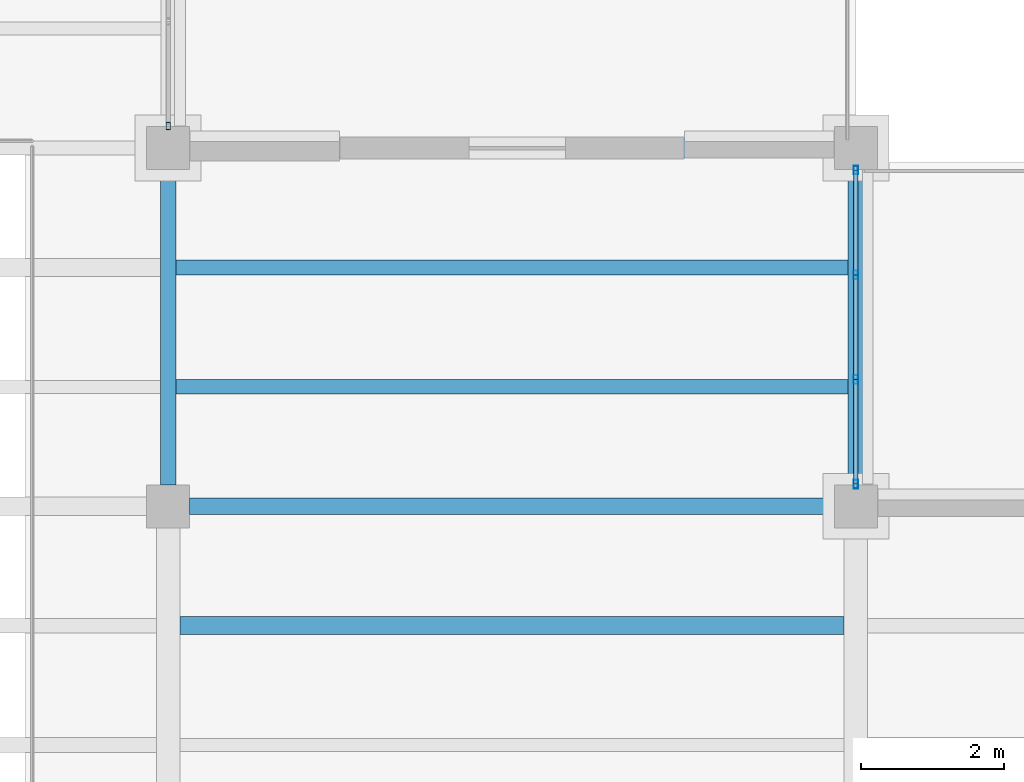
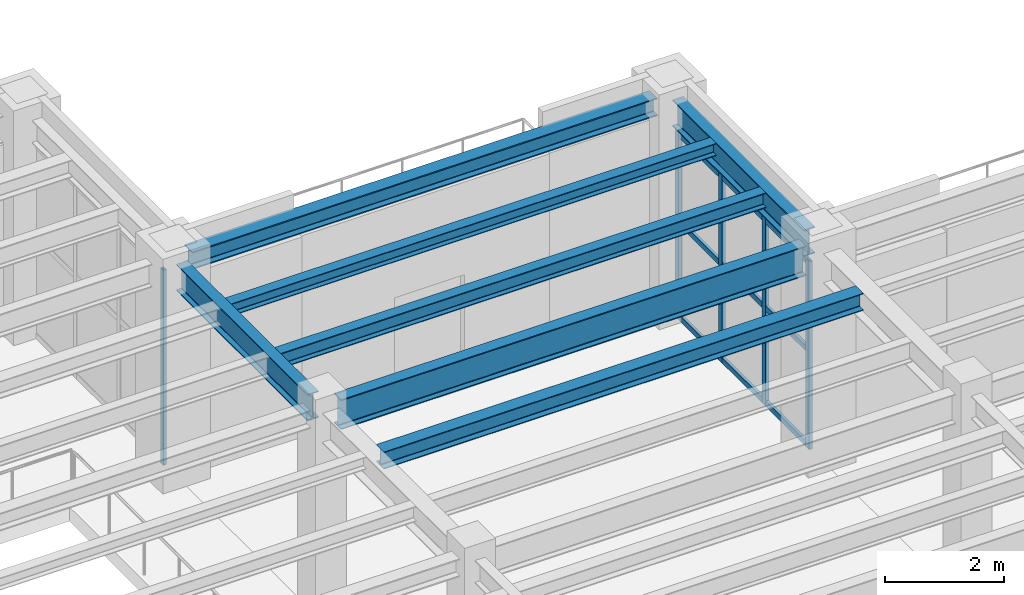
# One storey, part 43 of 83: 14 members, 7 beams, 2 elements without a shape of their own.
"""IFC4 building model written with IfcOpenShell, lengths in metres."""

from ifc_helpers import new_model, si_unit, direction, frame, origin, origin_2d, place, context, subcontext, project, spatial, hollow_rectangle, i_section, extrude, material, material_profile, profile_set, type_object, element, aggregate, save


model = new_model("IFC4")

# Units and contexts
model_context = context("Model", 3, precision=1e-05, world=origin(), true_north=direction((0.0, 1.0)))
body_context = subcontext(model_context, "Body", "Model", "MODEL_VIEW")
ifc_project = project(units=[si_unit("LENGTHUNIT", "METRE"), si_unit("AREAUNIT", "SQUARE_METRE"), si_unit("VOLUMEUNIT", "CUBIC_METRE"), si_unit("PLANEANGLEUNIT", "RADIAN"), si_unit("MASSUNIT", "GRAM", prefix="KILO")], contexts=[model_context])

# Site, building, storey
site_placement = place(None, origin())
site = spatial("IfcSite", under=ifc_project, at=site_placement, CompositionType="ELEMENT")
building_placement = place(site_placement, origin())
building = spatial("IfcBuilding", under=site, at=building_placement, Name="Mavantir Sound Aquarium", CompositionType="ELEMENT")
storey_placement = place(building_placement, frame((0.0, 0.0, 10.5)))
storey = spatial("IfcBuildingStorey", under=building, at=storey_placement, Name="L02", CompositionType="ELEMENT", Elevation=10.5)

# Beams
ifc_material_1 = material(Name="Structural Steel ASTM A992 Gr50", Category="steel")
ifc_material_profile_1 = material_profile(ifc_material_1, i_section(OverallWidth=0.202880859375, OverallDepth=0.251953125, WebThickness=0.008056640625, FlangeThickness=0.013427734375, FilletRadius=0.011962890625, at=origin_2d()), Name="W250X58")
ifc_profile_set_1 = profile_set([ifc_material_profile_1], Name="Structural Steel ASTM A992 Gr50")
beam_type_1 = type_object("IfcBeamType", Name="BM-W250X58-I", PredefinedType="JOIST", material=ifc_profile_set_1)
beam_1_placement = place(storey_placement, frame((146.506103515625, 69.13330078125, 4.360107421875), z_axis=(1.0, 0.0, 0.0), x_axis=(0.0, 1.0, 0.0)))
element("IfcBeam", 1, at=beam_1_placement, inside=storey, type_object=beam_type_1, Name="L02 secondary floor joist SJ-25 944", PredefinedType="JOIST", context=body_context, shape_type="SweptSolid", body=[
    extrude(i_section(OverallWidth=0.202880859375, OverallDepth=0.251953125, WebThickness=0.008056640625, FlangeThickness=0.013427734375, FilletRadius=0.011962890625, at=origin_2d()), origin(), (0.0, 0.0, 1.0), 9.387939453125),
])
ifc_material_profile_2 = material_profile(ifc_material_1, i_section(OverallWidth=0.205078125, OverallDepth=0.31005859375, WebThickness=0.009521484375, FlangeThickness=0.016357421875, FilletRadius=0.012939453125, at=origin_2d()), Name="W310X74")
ifc_profile_set_2 = profile_set([ifc_material_profile_2], Name="Structural Steel ASTM A992 Gr50")
beam_type_2 = type_object("IfcBeamType", Name="BM-W310X74-I", PredefinedType="JOIST", material=ifc_profile_set_2)
beam_2_placement = place(storey_placement, frame((146.506103515625, 67.466796875, 4.3310546875), z_axis=(1.0, 0.0, 0.0), x_axis=(0.0, 1.0, 0.0)))
element("IfcBeam", 2, at=beam_2_placement, inside=storey, type_object=beam_type_2, Name="L02 secondary floor joist SJ-31 943", PredefinedType="JOIST", context=body_context, shape_type="SweptSolid", body=[
    extrude(i_section(OverallWidth=0.205078125, OverallDepth=0.31005859375, WebThickness=0.009521484375, FlangeThickness=0.016357421875, FilletRadius=0.012939453125, at=origin_2d()), origin(), (0.0, 0.0, 1.0), 9.387939453125),
])
ifc_material_profile_3 = material_profile(ifc_material_1, i_section(OverallWidth=0.257080078125, OverallDepth=0.363037109375, WebThickness=0.012939453125, FlangeThickness=0.021728515625, FilletRadius=0.014892578125, at=origin_2d()), Name="W360X122")
ifc_profile_set_3 = profile_set([ifc_material_profile_3], Name="Structural Steel ASTM A992 Gr50")
beam_type_3 = type_object("IfcBeamType", Name="BM-W360X122-I", PredefinedType="BEAM", material=ifc_profile_set_3)
beam_3_placement = place(storey_placement, frame((146.699951171875, 70.800048828125, 4.304443359375), z_axis=(1.0, 0.0, 0.0), x_axis=(0.0, 1.0, 0.0)))
element("IfcBeam", 3, at=beam_3_placement, inside=storey, type_object=beam_type_3, Name="L02 primary beam SB-36A 1544", PredefinedType="BEAM", context=body_context, shape_type="SweptSolid", body=[
    extrude(i_section(OverallWidth=0.257080078125, OverallDepth=0.363037109375, WebThickness=0.012939453125, FlangeThickness=0.021728515625, FilletRadius=0.014892578125, at=origin_2d()), origin(), (0.0, 0.0, 1.0), 9.0),
])
ifc_material_profile_4 = material_profile(ifc_material_1, i_section(OverallWidth=0.25390625, OverallDepth=0.35302734375, WebThickness=0.009521484375, FlangeThickness=0.016357421875, FilletRadius=0.014892578125, at=origin_2d()), Name="W360X91")
ifc_profile_set_4 = profile_set([ifc_material_profile_4], Name="Structural Steel ASTM A992 Gr50")
beam_type_4 = type_object("IfcBeamType", Name="BM-W360X91-I", PredefinedType="JOIST", material=ifc_profile_set_4)
beam_4_placement = place(storey_placement, frame((146.56201171875, 64.13330078125, 4.3095703125), z_axis=(1.0, 0.0, 0.0), x_axis=(0.0, 1.0, 0.0)))
element("IfcBeam", 4, at=beam_4_placement, inside=storey, type_object=beam_type_4, Name="L02 secondary floor joist SJ-36 938", PredefinedType="JOIST", context=body_context, shape_type="SweptSolid", body=[
    extrude(i_section(OverallWidth=0.25390625, OverallDepth=0.35302734375, WebThickness=0.009521484375, FlangeThickness=0.016357421875, FilletRadius=0.014892578125, at=origin_2d()), origin(), (0.0, 0.0, 1.0), 9.27587890625),
])
ifc_material_profile_5 = material_profile(ifc_material_1, i_section(OverallWidth=0.2119140625, OverallDepth=0.5439453125, WebThickness=0.01318359375, FlangeThickness=0.021240234375, FilletRadius=0.01806640625, at=origin_2d()), Name="W530X123")
ifc_profile_set_5 = profile_set([ifc_material_profile_5], Name="Structural Steel ASTM A992 Gr50")
beam_type_5 = type_object("IfcBeamType", Name="BM-W530X123-I", PredefinedType="BEAM", material=ifc_profile_set_5)
for number, where, z_axis, x_axis, name in (
    (5, (146.39990234375, 66.10009765625, 4.214111328125), (0.0, 1.0, 0.0), (-1.0, 0.0, 0.0), "L02 primary girder SB-53 1589"),
    (6, (156.0, 66.10009765625, 4.214111328125), (0.0, 1.0, 0.0), (-1.0, 0.0, 0.0), "L02 primary girder SB-53 1595"),
):
    element("IfcBeam", number, at=place(storey_placement, frame(where, z_axis=z_axis, x_axis=x_axis)), inside=storey, type_object=beam_type_5, Name=name, PredefinedType="BEAM", context=body_context, shape_type="SweptSolid", body=[
        extrude(i_section(OverallWidth=0.2119140625, OverallDepth=0.5439453125, WebThickness=0.01318359375, FlangeThickness=0.021240234375, FilletRadius=0.01806640625, at=origin_2d()), origin(), (0.0, 0.0, 1.0), 4.39990234375),
    ])
ifc_material_profile_6 = material_profile(ifc_material_1, i_section(OverallWidth=0.22900390625, OverallDepth=0.612060546875, WebThickness=0.011962890625, FlangeThickness=0.01953125, FilletRadius=0.01904296875, at=origin_2d()), Name="W610X125")
ifc_profile_set_6 = profile_set([ifc_material_profile_6], Name="Structural Steel ASTM A992 Gr50")
beam_type_6 = type_object("IfcBeamType", Name="BM-W610X125-I", PredefinedType="BEAM", material=ifc_profile_set_6)
beam_5_placement = place(storey_placement, frame((146.699951171875, 65.800048828125, 4.179931640625), z_axis=(1.0, 0.0, 0.0), x_axis=(0.0, 1.0, 0.0)))
element("IfcBeam", 7, at=beam_5_placement, inside=storey, type_object=beam_type_6, Name="L02 primary beam SB-61B 1541", PredefinedType="BEAM", context=body_context, shape_type="SweptSolid", body=[
    extrude(i_section(OverallWidth=0.22900390625, OverallDepth=0.612060546875, WebThickness=0.011962890625, FlangeThickness=0.01953125, FilletRadius=0.01904296875, at=origin_2d()), origin(), (0.0, 0.0, 1.0), 9.0),
])

# Curtain wall, member
ifc_material_2 = material(Name="Anodised Marine Aluminium and Low-E Glass", Category="aluminium")
curtain_wall_type_1 = type_object("IfcCurtainWallType", Name="CW-T09", PredefinedType="USERDEFINED", material=ifc_material_2)
curtain_wall_1_placement = place(storey_placement, origin())
curtain_wall_1 = element("IfcCurtainWall", 8, at=curtain_wall_1_placement, inside=storey, type_object=curtain_wall_type_1, Name="L02 unitised curtain wall CW-09 129", ObjectType="UNITISED GLAZING", PredefinedType="USERDEFINED")
ifc_material_3 = material(Name="Anodised Marine Aluminium 6063-T6", Category="aluminium")
ifc_material_profile_7 = material_profile(ifc_material_3, hollow_rectangle(XDim=0.06005859375, YDim=0.10009765625, WallThickness=0.00390625, at=origin_2d()), Name="ALU-MULLION-100X60")
ifc_profile_set_7 = profile_set([ifc_material_profile_7], Name="Anodised Marine Aluminium 6063-T6")
member_type_1 = type_object("IfcMemberType", Name="CW-MUL-100", PredefinedType="MULLION", material=ifc_profile_set_7)
member_1_placement = place(storey_placement, frame((146.39990234375, 71.10791015625, 0.0), z_axis=(0.0, 0.0, 1.0), x_axis=(1.0, 0.0, 0.0)))
member_1 = element("IfcMember", 9, at=member_1_placement, type_object=member_type_1, Name="CW-L02-129 vertical mullion 1", PredefinedType="MULLION", context=body_context, shape_type="SweptSolid", body=[
    extrude(hollow_rectangle(XDim=0.06005859375, YDim=0.10009765625, WallThickness=0.00390625, at=origin_2d()), origin(), (0.0, 0.0, 1.0), 3.987060546875),
])
aggregate(curtain_wall_1, [member_1])

# Curtain wall, members
curtain_wall_type_2 = type_object("IfcCurtainWallType", Name="CW-T08", PredefinedType="USERDEFINED", material=ifc_material_2)
curtain_wall_2_placement = place(storey_placement, origin())
curtain_wall_2 = element("IfcCurtainWall", 10, at=curtain_wall_2_placement, inside=storey, type_object=curtain_wall_type_2, Name="L02 unitised curtain wall CW-08 128", ObjectType="UNITISED GLAZING", PredefinedType="USERDEFINED")
ifc_material_profile_8 = material_profile(ifc_material_3, hollow_rectangle(XDim=0.06494140625, YDim=0.1201171875, WallThickness=0.00390625, at=origin_2d()), Name="ALU-MULLION-120X65")
ifc_profile_set_8 = profile_set([ifc_material_profile_8], Name="Anodised Marine Aluminium 6063-T6")
member_type_2 = type_object("IfcMemberType", Name="CW-MUL-120", PredefinedType="MULLION", material=ifc_profile_set_8)
member_2_placement = place(storey_placement, frame((156.0, 66.10791015625, 0.0), z_axis=(0.0, 0.0, 1.0), x_axis=(1.0, 0.0, 0.0)))
member_2 = element("IfcMember", 11, at=member_2_placement, type_object=member_type_2, Name="CW-L02-128 vertical mullion 1", PredefinedType="MULLION", context=body_context, shape_type="SweptSolid", body=[
    extrude(hollow_rectangle(XDim=0.06494140625, YDim=0.1201171875, WallThickness=0.00390625, at=origin_2d()), origin(), (0.0, 0.0, 1.0), 3.843994140625),
])
member_3_placement = place(storey_placement, frame((156.0, 67.5693359375, 0.0), z_axis=(0.0, 0.0, 1.0), x_axis=(1.0, 0.0, 0.0)))
member_3 = element("IfcMember", 12, at=member_3_placement, type_object=member_type_2, Name="CW-L02-128 vertical mullion 2", PredefinedType="MULLION", context=body_context, shape_type="SweptSolid", body=[
    extrude(hollow_rectangle(XDim=0.06494140625, YDim=0.1201171875, WallThickness=0.00390625, at=origin_2d()), origin(), (0.0, 0.0, 1.0), 3.843994140625),
])
member_4_placement = place(storey_placement, frame((156.0, 69.03076171875, 0.0), z_axis=(0.0, 0.0, 1.0), x_axis=(1.0, 0.0, 0.0)))
member_4 = element("IfcMember", 13, at=member_4_placement, type_object=member_type_2, Name="CW-L02-128 vertical mullion 3", PredefinedType="MULLION", context=body_context, shape_type="SweptSolid", body=[
    extrude(hollow_rectangle(XDim=0.06494140625, YDim=0.1201171875, WallThickness=0.00390625, at=origin_2d()), origin(), (0.0, 0.0, 1.0), 3.843994140625),
])
member_5_placement = place(storey_placement, frame((156.0, 70.491943359375, 0.0), z_axis=(0.0, 0.0, 1.0), x_axis=(1.0, 0.0, 0.0)))
member_5 = element("IfcMember", 14, at=member_5_placement, type_object=member_type_2, Name="CW-L02-128 vertical mullion 4", PredefinedType="MULLION", context=body_context, shape_type="SweptSolid", body=[
    extrude(hollow_rectangle(XDim=0.06494140625, YDim=0.1201171875, WallThickness=0.00390625, at=origin_2d()), origin(), (0.0, 0.0, 1.0), 3.843994140625),
])
ifc_material_profile_9 = material_profile(ifc_material_3, hollow_rectangle(XDim=0.06005859375, YDim=0.110107421875, WallThickness=0.00390625, at=origin_2d()), Name="ALU-TRANSOM-110X60")
ifc_profile_set_9 = profile_set([ifc_material_profile_9], Name="Anodised Marine Aluminium 6063-T6")
member_type_3 = type_object("IfcMemberType", Name="CW-TRN-110", PredefinedType="USERDEFINED", material=ifc_profile_set_9)
member_6_placement = place(storey_placement, frame((156.0, 66.10791015625, 0.054931640625), z_axis=(0.0, 1.0, 0.0), x_axis=(-1.0, 0.0, 0.0)))
member_6 = element("IfcMember", 15, at=member_6_placement, type_object=member_type_3, Name="CW-L02-128 transom 1.1", ObjectType="TRANSOM", PredefinedType="USERDEFINED", context=body_context, shape_type="SweptSolid", body=[
    extrude(hollow_rectangle(XDim=0.06005859375, YDim=0.110107421875, WallThickness=0.00390625, at=origin_2d()), origin(), (0.0, 0.0, 1.0), 1.46142578125),
])
member_7_placement = place(storey_placement, frame((156.0, 66.10791015625, 1.998779296875), z_axis=(0.0, 1.0, 0.0), x_axis=(-1.0, 0.0, 0.0)))
member_7 = element("IfcMember", 16, at=member_7_placement, type_object=member_type_3, Name="CW-L02-128 transom 1.2", ObjectType="TRANSOM", PredefinedType="USERDEFINED", context=body_context, shape_type="SweptSolid", body=[
    extrude(hollow_rectangle(XDim=0.06005859375, YDim=0.110107421875, WallThickness=0.00390625, at=origin_2d()), origin(), (0.0, 0.0, 1.0), 1.46142578125),
])
member_8_placement = place(storey_placement, frame((156.0, 66.10791015625, 3.7890625), z_axis=(0.0, 1.0, 0.0), x_axis=(-1.0, 0.0, 0.0)))
member_8 = element("IfcMember", 17, at=member_8_placement, type_object=member_type_3, Name="CW-L02-128 transom 1.3", ObjectType="TRANSOM", PredefinedType="USERDEFINED", context=body_context, shape_type="SweptSolid", body=[
    extrude(hollow_rectangle(XDim=0.06005859375, YDim=0.110107421875, WallThickness=0.00390625, at=origin_2d()), origin(), (0.0, 0.0, 1.0), 1.46142578125),
])
member_9_placement = place(storey_placement, frame((156.0, 67.5693359375, 0.054931640625), z_axis=(0.0, 1.0, 0.0), x_axis=(-1.0, 0.0, 0.0)))
member_9 = element("IfcMember", 18, at=member_9_placement, type_object=member_type_3, Name="CW-L02-128 transom 2.1", ObjectType="TRANSOM", PredefinedType="USERDEFINED", context=body_context, shape_type="SweptSolid", body=[
    extrude(hollow_rectangle(XDim=0.06005859375, YDim=0.110107421875, WallThickness=0.00390625, at=origin_2d()), origin(), (0.0, 0.0, 1.0), 1.46142578125),
])
member_10_placement = place(storey_placement, frame((156.0, 67.5693359375, 1.998779296875), z_axis=(0.0, 1.0, 0.0), x_axis=(-1.0, 0.0, 0.0)))
member_10 = element("IfcMember", 19, at=member_10_placement, type_object=member_type_3, Name="CW-L02-128 transom 2.2", ObjectType="TRANSOM", PredefinedType="USERDEFINED", context=body_context, shape_type="SweptSolid", body=[
    extrude(hollow_rectangle(XDim=0.06005859375, YDim=0.110107421875, WallThickness=0.00390625, at=origin_2d()), origin(), (0.0, 0.0, 1.0), 1.46142578125),
])
member_11_placement = place(storey_placement, frame((156.0, 67.5693359375, 3.7890625), z_axis=(0.0, 1.0, 0.0), x_axis=(-1.0, 0.0, 0.0)))
member_11 = element("IfcMember", 20, at=member_11_placement, type_object=member_type_3, Name="CW-L02-128 transom 2.3", ObjectType="TRANSOM", PredefinedType="USERDEFINED", context=body_context, shape_type="SweptSolid", body=[
    extrude(hollow_rectangle(XDim=0.06005859375, YDim=0.110107421875, WallThickness=0.00390625, at=origin_2d()), origin(), (0.0, 0.0, 1.0), 1.46142578125),
])
member_12_placement = place(storey_placement, frame((156.0, 69.03076171875, 0.054931640625), z_axis=(0.0, 1.0, 0.0), x_axis=(-1.0, 0.0, 0.0)))
member_12 = element("IfcMember", 21, at=member_12_placement, type_object=member_type_3, Name="CW-L02-128 transom 3.1", ObjectType="TRANSOM", PredefinedType="USERDEFINED", context=body_context, shape_type="SweptSolid", body=[
    extrude(hollow_rectangle(XDim=0.06005859375, YDim=0.110107421875, WallThickness=0.00390625, at=origin_2d()), origin(), (0.0, 0.0, 1.0), 1.461181640625),
])
member_13_placement = place(storey_placement, frame((156.0, 69.03076171875, 1.998779296875), z_axis=(0.0, 1.0, 0.0), x_axis=(-1.0, 0.0, 0.0)))
member_13 = element("IfcMember", 22, at=member_13_placement, type_object=member_type_3, Name="CW-L02-128 transom 3.2", ObjectType="TRANSOM", PredefinedType="USERDEFINED", context=body_context, shape_type="SweptSolid", body=[
    extrude(hollow_rectangle(XDim=0.06005859375, YDim=0.110107421875, WallThickness=0.00390625, at=origin_2d()), origin(), (0.0, 0.0, 1.0), 1.461181640625),
])
member_14_placement = place(storey_placement, frame((156.0, 69.03076171875, 3.7890625), z_axis=(0.0, 1.0, 0.0), x_axis=(-1.0, 0.0, 0.0)))
member_14 = element("IfcMember", 23, at=member_14_placement, type_object=member_type_3, Name="CW-L02-128 transom 3.3", ObjectType="TRANSOM", PredefinedType="USERDEFINED", context=body_context, shape_type="SweptSolid", body=[
    extrude(hollow_rectangle(XDim=0.06005859375, YDim=0.110107421875, WallThickness=0.00390625, at=origin_2d()), origin(), (0.0, 0.0, 1.0), 1.461181640625),
])
aggregate(curtain_wall_2, [member_2, member_3, member_4, member_5, member_6, member_7, member_8, member_9, member_10, member_11, member_12, member_13, member_14])

save(model, "model.ifc")
